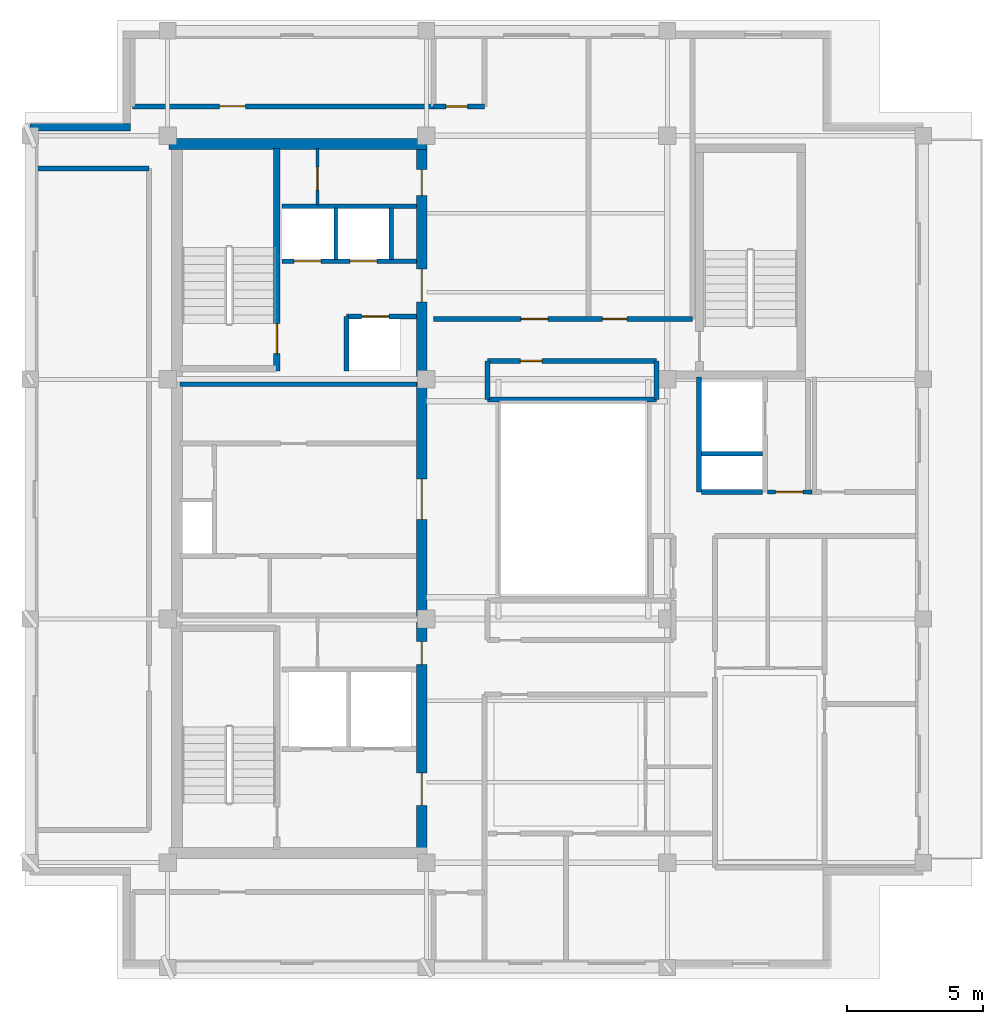
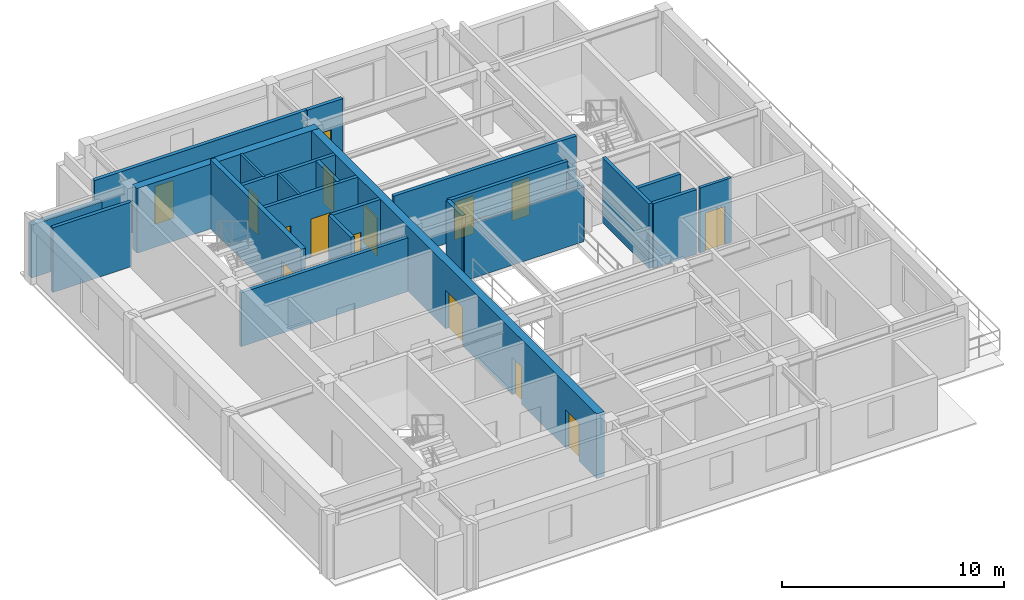
# One storey, part 4 of 9: 24 walls, 16 doors, 16 openings.
"""IFC4 building model written with IfcOpenShell, lengths in metres."""

from ifc_helpers import new_model, si_unit, direction, frame, frame_2d, origin, place, context, subcontext, project, spatial, rectangle, extrude, material, layer, layer_set, type_object, element, fill, save


model = new_model("IFC4")

# Units and contexts
model_context = context("Model", 3, precision=1e-05, world=origin(), true_north=direction((0.0, 1.0)))
body_context = subcontext(model_context, "Body", "Model", "MODEL_VIEW")
ifc_project = project(units=[si_unit("LENGTHUNIT", "METRE"), si_unit("AREAUNIT", "SQUARE_METRE"), si_unit("VOLUMEUNIT", "CUBIC_METRE"), si_unit("PLANEANGLEUNIT", "RADIAN"), si_unit("MASSUNIT", "GRAM", prefix="KILO")], contexts=[model_context])

# Site, building, storey
site_placement = place(None, origin())
site = spatial("IfcSite", under=ifc_project, at=site_placement, CompositionType="ELEMENT")
building_placement = place(site_placement, origin())
building = spatial("IfcBuilding", under=site, at=building_placement, Name="Kundavana Baori Tower", CompositionType="ELEMENT")
storey_placement = place(building_placement, frame((0.0, 0.0, 335.300048828125)))
storey = spatial("IfcBuildingStorey", under=building, at=storey_placement, Name="L83", CompositionType="ELEMENT", Elevation=335.300048828125)

# Wall
ifc_material_1 = material(Name="Concrete C50/60", Category="concrete")
ifc_layer_1 = layer(ifc_material_1, 0.39990234375, Name="WL-CORE-400")
ifc_layer_set_1 = layer_set([ifc_layer_1], Name="Concrete C50/60")
wall_type_1 = type_object("IfcWallType", Name="WL-CORE-400", PredefinedType="SHEAR", material=ifc_layer_set_1)
wall_1_placement = place(storey_placement, frame((15.5, 41.639892578125, 0.0), z_axis=(0.0, 0.0, 1.0), x_axis=(1.0, 0.0, 0.0)))
element("IfcWall", 1, at=wall_1_placement, inside=storey, type_object=wall_type_1, Name="L83 Offset Core North Shear Wall", PredefinedType="SHEAR", context=body_context, shape_type="SweptSolid", body=[
    extrude(rectangle(XDim=9.47998046875, YDim=0.39990234375, at=frame_2d((4.739990234375, 0.0))), origin(), (0.0, 0.0, 1.0), 3.56005859375),
])

# Wall, openings, doors
wall_2_placement = place(storey_placement, frame((24.780029296875, 15.739990234375, 0.0), z_axis=(0.0, 0.0, 1.0), x_axis=(0.0, 1.0, 0.0)))
wall_2 = element("IfcWall", 2, at=wall_2_placement, inside=storey, type_object=wall_type_1, Name="L83 Offset Core East Shear Wall", PredefinedType="SHEAR", context=body_context, shape_type="SweptSolid", body=[
    extrude(rectangle(XDim=25.760009765625, YDim=0.39990234375, at=frame_2d((12.8798828125, 0.0))), origin(), (0.0, 0.0, 1.0), 3.56005859375),
])
opening_1_placement = place(wall_2_placement, frame((1.610107421875, 0.0, 0.0)))
opening_1 = element("IfcOpeningElement", 3, at=opening_1_placement, cuts=wall_2, Name="Opening FD-120", PredefinedType="OPENING", context=body_context, shape_type="SweptSolid", body=[
    extrude(rectangle(XDim=1.199951171875, YDim=2.10009765625, at=frame_2d((0.60009765625, 1.050048828125))), frame((0.0, 0.2099609375, 0.0), z_axis=(0.0, -1.0, 0.0), x_axis=(1.0, 0.0, 0.0)), (0.0, 0.0, 1.0), 0.419921875),
])
opening_2_placement = place(wall_2_placement, frame((6.780029296875, 0.0, 0.0)))
opening_2 = element("IfcOpeningElement", 4, at=opening_2_placement, cuts=wall_2, Name="Opening FD-085", PredefinedType="OPENING", context=body_context, shape_type="SweptSolid", body=[
    extrude(rectangle(XDim=0.85009765625, YDim=2.06005859375, at=frame_2d((0.425048828125, 1.030029296875))), frame((0.0, 0.2099609375, 0.0), z_axis=(0.0, -1.0, 0.0), x_axis=(1.0, 0.0, 0.0)), (0.0, 0.0, 1.0), 0.419921875),
])
opening_3_placement = place(wall_2_placement, frame((12.110107421875, 0.0, 0.0)))
opening_3 = element("IfcOpeningElement", 5, at=opening_3_placement, cuts=wall_2, Name="Opening FD-150", PredefinedType="OPENING", context=body_context, shape_type="SweptSolid", body=[
    extrude(rectangle(XDim=1.5, YDim=2.1201171875, at=frame_2d((0.75, 1.06005859375))), frame((0.0, 0.2099609375, 0.0), z_axis=(0.0, -1.0, 0.0), x_axis=(1.0, 0.0, 0.0)), (0.0, 0.0, 1.0), 0.419921875),
])
opening_4_placement = place(wall_2_placement, frame((20.110107421875, 0.0, 0.0)))
opening_4 = element("IfcOpeningElement", 6, at=opening_4_placement, cuts=wall_2, Name="Opening FD-122", PredefinedType="OPENING", context=body_context, shape_type="SweptSolid", body=[
    extrude(rectangle(XDim=1.199951171875, YDim=2.1201171875, at=frame_2d((0.60009765625, 1.06005859375))), frame((0.0, 0.2099609375, 0.0), z_axis=(0.0, -1.0, 0.0), x_axis=(1.0, 0.0, 0.0)), (0.0, 0.0, 1.0), 0.419921875),
])
opening_5_placement = place(wall_2_placement, frame((24.010009765625, 0.0, 0.0)))
opening_5 = element("IfcOpeningElement", 7, at=opening_5_placement, cuts=wall_2, Name="Opening FD-095", PredefinedType="OPENING", context=body_context, shape_type="SweptSolid", body=[
    extrude(rectangle(XDim=0.949951171875, YDim=2.10009765625, at=frame_2d((0.47509765625, 1.050048828125))), frame((0.0, 0.2099609375, 0.0), z_axis=(0.0, -1.0, 0.0), x_axis=(1.0, 0.0, 0.0)), (0.0, 0.0, 1.0), 0.419921875),
])
ifc_material_2 = material(Name="Galvanised Steel Fire-Rated Door Leaf", Category="steel")
door_type_1 = type_object("IfcDoorType", Name="DR-FD120-1200", OperationType="NOTDEFINED", PredefinedType="DOOR", material=ifc_material_2)
door_1_placement = place(opening_1_placement, frame((1.199951171875, 0.0, 0.0), z_axis=(0.0, 0.0, 1.0), x_axis=(-1.0, 0.0, 0.0)))
door_1 = element("IfcDoor", 8, at=door_1_placement, inside=storey, type_object=door_type_1, Name="DR-L83-FFLOB-E", OperationType="SINGLE_SWING_RIGHT", OverallHeight=2.10009765625, OverallWidth=1.199951171875, PredefinedType="DOOR", context=body_context, shape_type="SweptSolid", body=[
    extrude(rectangle(XDim=1.199951171875, YDim=2.10009765625, at=frame_2d((0.60009765625, 1.050048828125))), frame((0.0, 0.02490234375, 0.0), z_axis=(0.0, -1.0, 0.0), x_axis=(1.0, 0.0, 0.0)), (0.0, 0.0, 1.0), 0.050048828125),
])
fill(opening_1, door_1)
ifc_material_3 = material(Name="Galvanised Steel Fire-Rated Door Leaf", Category="steel")
door_type_2 = type_object("IfcDoorType", Name="DR-FD60-1200", OperationType="NOTDEFINED", PredefinedType="DOOR", material=ifc_material_3)
door_2_placement = place(opening_4_placement, frame((1.199951171875, 0.0, 0.0), z_axis=(0.0, 0.0, 1.0), x_axis=(-1.0, 0.0, 0.0)))
door_2 = element("IfcDoor", 9, at=door_2_placement, inside=storey, type_object=door_type_2, Name="DR-L83-HRLOB-E", OperationType="SINGLE_SWING_RIGHT", OverallHeight=2.1201171875, OverallWidth=1.199951171875, PredefinedType="DOOR", context=body_context, shape_type="SweptSolid", body=[
    extrude(rectangle(XDim=1.199951171875, YDim=2.1201171875, at=frame_2d((0.60009765625, 1.06005859375))), frame((0.0, 0.02490234375, 0.0), z_axis=(0.0, -1.0, 0.0), x_axis=(1.0, 0.0, 0.0)), (0.0, 0.0, 1.0), 0.050048828125),
])
fill(opening_4, door_2)
ifc_material_4 = material(Name="Galvanised Steel Fire-Rated Door Leaf", Category="steel")
door_type_3 = type_object("IfcDoorType", Name="DR-FD60-1500", OperationType="NOTDEFINED", PredefinedType="DOOR", material=ifc_material_4)
door_3_placement = place(opening_3_placement, frame((1.5, 0.0, 0.0), z_axis=(0.0, 0.0, 1.0), x_axis=(-1.0, 0.0, 0.0)))
door_3 = element("IfcDoor", 10, at=door_3_placement, inside=storey, type_object=door_type_3, Name="DR-L83-LIFTHALL-E", OperationType="SINGLE_SWING_LEFT", OverallHeight=2.1201171875, OverallWidth=1.5, PredefinedType="DOOR", context=body_context, shape_type="SweptSolid", body=[
    extrude(rectangle(XDim=1.5, YDim=2.1201171875, at=frame_2d((0.75, 1.06005859375))), frame((0.0, 0.02490234375, 0.0), z_axis=(0.0, -1.0, 0.0), x_axis=(1.0, 0.0, 0.0)), (0.0, 0.0, 1.0), 0.050048828125),
])
fill(opening_3, door_3)
ifc_material_5 = material(Name="Galvanised Steel Fire-Rated Door Leaf", Category="steel")
door_type_4 = type_object("IfcDoorType", Name="DR-FD60-850", OperationType="NOTDEFINED", PredefinedType="DOOR", material=ifc_material_5)
door_4_placement = place(opening_2_placement, frame((0.85009765625, 0.0, 0.0), z_axis=(0.0, 0.0, 1.0), x_axis=(-1.0, 0.0, 0.0)))
door_4 = element("IfcDoor", 11, at=door_4_placement, inside=storey, type_object=door_type_4, Name="DR-L83-CSMK2", OperationType="SINGLE_SWING_LEFT", OverallHeight=2.06005859375, OverallWidth=0.85009765625, PredefinedType="DOOR", context=body_context, shape_type="SweptSolid", body=[
    extrude(rectangle(XDim=0.85009765625, YDim=2.06005859375, at=frame_2d((0.425048828125, 1.030029296875))), frame((0.0, 0.02490234375, 0.0), z_axis=(0.0, -1.0, 0.0), x_axis=(1.0, 0.0, 0.0)), (0.0, 0.0, 1.0), 0.050048828125),
])
fill(opening_2, door_4)
ifc_material_6 = material(Name="Engineered Teak Fire-Rated Timber Door Leaf", Category="wood")
door_type_5 = type_object("IfcDoorType", Name="DR-FD60-950", OperationType="NOTDEFINED", PredefinedType="DOOR", material=ifc_material_6)
door_5_placement = place(opening_5_placement, frame((0.949951171875, 0.0, 0.0), z_axis=(0.0, 0.0, 1.0), x_axis=(-1.0, 0.0, 0.0)))
door_5 = element("IfcDoor", 12, at=door_5_placement, inside=storey, type_object=door_type_5, Name="DR-L83-CSRV2", OperationType="SINGLE_SWING_LEFT", OverallHeight=2.10009765625, OverallWidth=0.949951171875, PredefinedType="DOOR", context=body_context, shape_type="SweptSolid", body=[
    extrude(rectangle(XDim=0.949951171875, YDim=2.10009765625, at=frame_2d((0.47509765625, 1.050048828125))), frame((0.0, 0.02490234375, 0.0), z_axis=(0.0, -1.0, 0.0), x_axis=(1.0, 0.0, 0.0)), (0.0, 0.0, 1.0), 0.050048828125),
])
fill(opening_5, door_5)

# Wall, opening, door
wall_3_placement = place(storey_placement, frame((19.4599609375, 33.300048828125, 0.0), z_axis=(0.0, 0.0, 1.0), x_axis=(0.0, 1.0, 0.0)))
wall_3 = element("IfcWall", 13, at=wall_3_placement, inside=storey, type_object=wall_type_1, Name="WL-L83-ST2-E", PredefinedType="SHEAR", context=body_context, shape_type="SweptSolid", body=[
    extrude(rectangle(XDim=8.179931640625, YDim=0.239990234375, at=frame_2d((4.08984375, 0.0))), origin(), (0.0, 0.0, 1.0), 3.800048828125),
])
opening_6_placement = place(wall_3_placement, frame((0.64990234375, 0.0, 0.0)))
opening_6 = element("IfcOpeningElement", 14, at=opening_6_placement, cuts=wall_3, Name="Opening FD-110", PredefinedType="OPENING", context=body_context, shape_type="SweptSolid", body=[
    extrude(rectangle(XDim=1.10009765625, YDim=2.10009765625, at=frame_2d((0.550048828125, 1.050048828125))), frame((0.0, 0.1298828125, 0.0), z_axis=(0.0, -1.0, 0.0), x_axis=(1.0, 0.0, 0.0)), (0.0, 0.0, 1.0), 0.260009765625),
])
ifc_material_7 = material(Name="Galvanised Steel Fire-Rated Door Leaf", Category="steel")
door_type_6 = type_object("IfcDoorType", Name="DR-FD120-1100", OperationType="NOTDEFINED", PredefinedType="DOOR", material=ifc_material_7)
door_6_placement = place(opening_6_placement, origin())
door_6 = element("IfcDoor", 15, at=door_6_placement, inside=storey, type_object=door_type_6, Name="DR-L83-ST2", OperationType="SINGLE_SWING_RIGHT", OverallHeight=2.10009765625, OverallWidth=1.10009765625, PredefinedType="DOOR", context=body_context, shape_type="SweptSolid", body=[
    extrude(rectangle(XDim=1.10009765625, YDim=2.10009765625, at=frame_2d((0.550048828125, 1.050048828125))), frame((0.0, 0.02490234375, 0.0), z_axis=(0.0, -1.0, 0.0), x_axis=(1.0, 0.0, 0.0)), (0.0, 0.0, 1.0), 0.050048828125),
])
fill(opening_6, door_6)

# Walls
ifc_material_8 = material(Name="Red-Buff Dholpur Sandstone Cladding on Concrete C40/50", Category="masonry")
ifc_layer_2 = layer(ifc_material_8, 0.280029296875, Name="WL-EXT-SAND-280")
ifc_layer_set_2 = layer_set([ifc_layer_2], Name="Red-Buff Dholpur Sandstone Cladding on Concrete C40/50")
wall_type_2 = type_object("IfcWallType", Name="WL-EXT-SAND-280", PredefinedType="STANDARD", material=ifc_layer_set_2)
wall_4_placement = place(storey_placement, frame((14.080078125, 42.260009765625, 0.0), z_axis=(0.0, 0.0, 1.0), x_axis=(-1.0, 0.0, 0.0)))
element("IfcWall", 16, at=wall_4_placement, inside=storey, type_object=wall_type_2, Name="L83 Exterior Insulated Facade Wall 09", PredefinedType="STANDARD", context=body_context, shape_type="SweptSolid", body=[
    extrude(rectangle(XDim=3.68017578125, YDim=0.280029296875, at=frame_2d((1.840087890625, 0.0))), origin(), (0.0, 0.0, 1.0), 2.919921875),
])
ifc_material_9 = material(Name="Acoustic Gypsum Plasterboard on Galvanised Steel Studs", Category="steel")
ifc_layer_3 = layer(ifc_material_9, 0.1201171875, Name="WL-PART-120")
ifc_layer_set_3 = layer_set([ifc_layer_3], Name="Acoustic Gypsum Plasterboard on Galvanised Steel Studs")
wall_type_3 = type_object("IfcWallType", Name="WL-PART-120", PredefinedType="PARTITIONING", material=ifc_layer_set_3)
wall_5_placement = place(storey_placement, frame((21.6201171875, 37.39990234375, 0.0), z_axis=(0.0, 0.0, 1.0), x_axis=(0.0, 1.0, 0.0)))
element("IfcWall", 17, at=wall_5_placement, inside=storey, type_object=wall_type_3, Name="WL-L83-HR-DIV1", PredefinedType="PARTITIONING", context=body_context, shape_type="SweptSolid", body=[
    extrude(rectangle(XDim=1.900146484375, YDim=0.1201171875, at=frame_2d((0.9501953125, 0.0))), origin(), (0.0, 0.0, 1.0), 3.56005859375),
])

# Wall, opening, door
wall_6_placement = place(storey_placement, frame((20.949951171875, 39.39990234375, 0.0), z_axis=(0.0, 0.0, 1.0), x_axis=(0.0, 1.0, 0.0)))
wall_6 = element("IfcWall", 18, at=wall_6_placement, inside=storey, type_object=wall_type_3, Name="WL-L83-CSRV-D2", PredefinedType="PARTITIONING", context=body_context, shape_type="SweptSolid", body=[
    extrude(rectangle(XDim=2.080078125, YDim=0.1201171875, at=frame_2d((1.0400390625, 0.0))), origin(), (0.0, 0.0, 1.0), 3.56005859375),
])
opening_7_placement = place(wall_6_placement, frame((0.550048828125, 0.0, 0.0)))
opening_7 = element("IfcOpeningElement", 19, at=opening_7_placement, cuts=wall_6, Name="Opening FD-085", PredefinedType="OPENING", context=body_context, shape_type="SweptSolid", body=[
    extrude(rectangle(XDim=0.85009765625, YDim=2.06005859375, at=frame_2d((0.425048828125, 1.030029296875))), frame((0.0, 0.070068359375, 0.0), z_axis=(0.0, -1.0, 0.0), x_axis=(1.0, 0.0, 0.0)), (0.0, 0.0, 1.0), 0.14013671875),
])
door_7_placement = place(opening_7_placement, origin())
door_7 = element("IfcDoor", 20, at=door_7_placement, inside=storey, type_object=door_type_4, Name="DR-L83-CSRV1", OperationType="SINGLE_SWING_RIGHT", OverallHeight=2.06005859375, OverallWidth=0.85009765625, PredefinedType="DOOR", context=body_context, shape_type="SweptSolid", body=[
    extrude(rectangle(XDim=0.85009765625, YDim=2.06005859375, at=frame_2d((0.425048828125, 1.030029296875))), frame((0.0, 0.02490234375, 0.0), z_axis=(0.0, -1.0, 0.0), x_axis=(1.0, 0.0, 0.0)), (0.0, 0.0, 1.0), 0.050048828125),
])
fill(opening_7, door_7)

ifc_material_10 = material(Name="Fire-Rated Gypsum Drywall on Galvanised Steel Studs", Category="steel")
ifc_layer_4 = layer(ifc_material_10, 0.14990234375, Name="WL-PART-150")
ifc_layer_set_4 = layer_set([ifc_layer_4], Name="Fire-Rated Gypsum Drywall on Galvanised Steel Studs")
wall_type_4 = type_object("IfcWallType", Name="WL-PART-150", PredefinedType="PARTITIONING", material=ifc_layer_set_4)
wall_7_placement = place(storey_placement, frame((37.47998046875, 28.860107421875, 0.0), z_axis=(0.0, 0.0, 1.0), x_axis=(1.0, 0.0, 0.0)))
wall_7 = element("IfcWall", 21, at=wall_7_placement, inside=storey, type_object=wall_type_4, Name="WL-L83-SVLOB-S", PredefinedType="PARTITIONING", context=body_context, shape_type="SweptSolid", body=[
    extrude(rectangle(XDim=1.64013671875, YDim=0.14990234375, at=frame_2d((0.820068359375, 0.0))), origin(), (0.0, 0.0, 1.0), 3.56005859375),
])
opening_8_placement = place(wall_7_placement, frame((0.300048828125, 0.0, 0.0)))
opening_8 = element("IfcOpeningElement", 22, at=opening_8_placement, cuts=wall_7, Name="Opening FD-100", PredefinedType="OPENING", context=body_context, shape_type="SweptSolid", body=[
    extrude(rectangle(XDim=1.0, YDim=2.10009765625, at=frame_2d((0.5, 1.050048828125))), frame((0.0, 0.0849609375, 0.0), z_axis=(0.0, -1.0, 0.0), x_axis=(1.0, 0.0, 0.0)), (0.0, 0.0, 1.0), 0.169921875),
])
ifc_material_11 = material(Name="Engineered Teak Fire-Rated Timber Door Leaf", Category="wood")
door_type_7 = type_object("IfcDoorType", Name="DR-FD60-1000", OperationType="NOTDEFINED", PredefinedType="DOOR", material=ifc_material_11)
door_8_placement = place(opening_8_placement, origin())
door_8 = element("IfcDoor", 23, at=door_8_placement, inside=storey, type_object=door_type_7, Name="DR-L83-SVLOB-OUT", OperationType="SINGLE_SWING_LEFT", OverallHeight=2.10009765625, OverallWidth=1.0, PredefinedType="DOOR", context=body_context, shape_type="SweptSolid", body=[
    extrude(rectangle(XDim=1.0, YDim=2.10009765625, at=frame_2d((0.5, 1.050048828125))), frame((0.0, 0.02490234375, 0.0), z_axis=(0.0, -1.0, 0.0), x_axis=(1.0, 0.0, 0.0)), (0.0, 0.0, 1.0), 0.050048828125),
])
fill(opening_8, door_8)

# Wall, openings, doors
ifc_material_12 = material(Name="Autoclaved Aerated Concrete Blockwork Masonry", Category="masonry")
ifc_layer_5 = layer(ifc_material_12, 0.18505859375, Name="WL-PART-180")
ifc_layer_set_5 = layer_set([ifc_layer_5], Name="Autoclaved Aerated Concrete Blockwork Masonry")
wall_type_5 = type_object("IfcWallType", Name="WL-PART-180", PredefinedType="SOLIDWALL", material=ifc_layer_set_5)
wall_8_placement = place(storey_placement, frame((25.219970703125, 35.219970703125, 0.0), z_axis=(0.0, 0.0, 1.0), x_axis=(1.0, 0.0, 0.0)))
wall_8 = element("IfcWall", 24, at=wall_8_placement, inside=storey, type_object=wall_type_5, Name="WL-L83-RN", PredefinedType="SOLIDWALL", context=body_context, shape_type="SweptSolid", body=[
    extrude(rectangle(XDim=9.5, YDim=0.18505859375, at=frame_2d((4.75, 0.0))), origin(), (0.0, 0.0, 1.0), 3.56005859375),
])
opening_9_placement = place(wall_8_placement, frame((3.199951171875, 0.0, 0.0)))
opening_9 = element("IfcOpeningElement", 25, at=opening_9_placement, cuts=wall_8, Name="Opening ID-100", PredefinedType="OPENING", context=body_context, shape_type="SweptSolid", body=[
    extrude(rectangle(XDim=1.0, YDim=2.080078125, at=frame_2d((0.5, 1.0400390625))), frame((0.0, 0.1025390625, 0.0), z_axis=(0.0, -1.0, 0.0), x_axis=(1.0, 0.0, 0.0)), (0.0, 0.0, 1.0), 0.205078125),
])
opening_10_placement = place(wall_8_placement, frame((6.199951171875, 0.0, 0.0)))
opening_10 = element("IfcOpeningElement", 26, at=opening_10_placement, cuts=wall_8, Name="Opening ID-090", PredefinedType="OPENING", context=body_context, shape_type="SweptSolid", body=[
    extrude(rectangle(XDim=0.89990234375, YDim=2.080078125, at=frame_2d((0.449951171875, 1.0400390625))), frame((0.0, 0.1025390625, 0.0), z_axis=(0.0, -1.0, 0.0), x_axis=(1.0, 0.0, 0.0)), (0.0, 0.0, 1.0), 0.205078125),
])
ifc_material_13 = material(Name="Engineered Teak Solid-Core Timber Veneer", Category="wood")
door_type_8 = type_object("IfcDoorType", Name="DR-INT-1000", OperationType="NOTDEFINED", PredefinedType="DOOR", material=ifc_material_13)
door_9_placement = place(opening_9_placement, origin())
door_9 = element("IfcDoor", 27, at=door_9_placement, inside=storey, type_object=door_type_8, Name="DR-L83-RLN1", OperationType="SINGLE_SWING_LEFT", OverallHeight=2.080078125, OverallWidth=1.0, PredefinedType="DOOR", context=body_context, shape_type="SweptSolid", body=[
    extrude(rectangle(XDim=1.0, YDim=2.080078125, at=frame_2d((0.5, 1.0400390625))), frame((0.0, 0.02490234375, 0.0), z_axis=(0.0, -1.0, 0.0), x_axis=(1.0, 0.0, 0.0)), (0.0, 0.0, 1.0), 0.050048828125),
])
fill(opening_9, door_9)
ifc_material_14 = material(Name="Engineered Teak Solid-Core Timber Veneer", Category="wood")
door_type_9 = type_object("IfcDoorType", Name="DR-INT-900", OperationType="NOTDEFINED", PredefinedType="DOOR", material=ifc_material_14)
door_10_placement = place(opening_10_placement, origin())
door_10 = element("IfcDoor", 28, at=door_10_placement, inside=storey, type_object=door_type_9, Name="DR-L83-RLN2", OperationType="SINGLE_SWING_RIGHT", OverallHeight=2.080078125, OverallWidth=0.89990234375, PredefinedType="DOOR", context=body_context, shape_type="SweptSolid", body=[
    extrude(rectangle(XDim=0.89990234375, YDim=2.080078125, at=frame_2d((0.449951171875, 1.0400390625))), frame((0.0, 0.02490234375, 0.0), z_axis=(0.0, -1.0, 0.0), x_axis=(1.0, 0.0, 0.0)), (0.0, 0.0, 1.0), 0.050048828125),
])
fill(opening_10, door_10)

# Wall, opening, door
wall_9_placement = place(storey_placement, frame((14.14990234375, 43.030029296875, 0.0), z_axis=(0.0, 0.0, 1.0), x_axis=(1.0, 0.0, 0.0)))
wall_9 = element("IfcWall", 29, at=wall_9_placement, inside=storey, type_object=wall_type_5, Name="WL-L83-RNC", PredefinedType="SOLIDWALL", context=body_context, shape_type="SweptSolid", body=[
    extrude(rectangle(XDim=11.070068359375, YDim=0.18505859375, at=frame_2d((5.53515625, 0.0))), origin(), (0.0, 0.0, 1.0), 3.56005859375),
])
opening_11_placement = place(wall_9_placement, frame((3.199951171875, 0.0, 0.0)))
opening_11 = element("IfcOpeningElement", 30, at=opening_11_placement, cuts=wall_9, Name="Opening ID-095", PredefinedType="OPENING", context=body_context, shape_type="SweptSolid", body=[
    extrude(rectangle(XDim=0.949951171875, YDim=2.080078125, at=frame_2d((0.47509765625, 1.0400390625))), frame((0.0, 0.1025390625, 0.0), z_axis=(0.0, -1.0, 0.0), x_axis=(1.0, 0.0, 0.0)), (0.0, 0.0, 1.0), 0.205078125),
])
ifc_material_15 = material(Name="Engineered Teak Solid-Core Timber Veneer", Category="wood")
door_type_10 = type_object("IfcDoorType", Name="DR-INT-950", OperationType="NOTDEFINED", PredefinedType="DOOR", material=ifc_material_15)
door_11_placement = place(opening_11_placement, origin())
door_11 = element("IfcDoor", 31, at=door_11_placement, inside=storey, type_object=door_type_10, Name="DR-L83-RMNW", OperationType="SINGLE_SWING_RIGHT", OverallHeight=2.080078125, OverallWidth=0.949951171875, PredefinedType="DOOR", context=body_context, shape_type="SweptSolid", body=[
    extrude(rectangle(XDim=0.949951171875, YDim=2.080078125, at=frame_2d((0.47509765625, 1.0400390625))), frame((0.0, 0.02490234375, 0.0), z_axis=(0.0, -1.0, 0.0), x_axis=(1.0, 0.0, 0.0)), (0.0, 0.0, 1.0), 0.050048828125),
])
fill(opening_11, door_11)

# Wall
wall_10_placement = place(storey_placement, frame((10.679931640625, 40.75, 0.0), z_axis=(0.0, 0.0, 1.0), x_axis=(1.0, 0.0, 0.0)))
element("IfcWall", 32, at=wall_10_placement, inside=storey, type_object=wall_type_5, Name="WL-L83-RWN", PredefinedType="SOLIDWALL", context=body_context, shape_type="SweptSolid", body=[
    extrude(rectangle(XDim=4.090087890625, YDim=0.18505859375, at=frame_2d((2.044921875, 0.0))), origin(), (0.0, 0.0, 1.0), 3.56005859375),
])

# Wall, opening, door
wall_11_placement = place(storey_placement, frame((25.219970703125, 43.02001953125, 0.0), z_axis=(0.0, 0.0, 1.0), x_axis=(1.0, 0.0, 0.0)))
wall_11 = element("IfcWall", 33, at=wall_11_placement, inside=storey, type_object=wall_type_5, Name="WL-L83-CNCS", PredefinedType="SOLIDWALL", context=body_context, shape_type="SweptSolid", body=[
    extrude(rectangle(XDim=1.860107421875, YDim=0.18505859375, at=frame_2d((0.93017578125, 0.0))), origin(), (0.0, 0.0, 1.0), 3.56005859375),
])
opening_12_placement = place(wall_11_placement, frame((0.449951171875, 0.0, 0.0)))
opening_12 = element("IfcOpeningElement", 34, at=opening_12_placement, cuts=wall_11, Name="Opening WD-080", PredefinedType="OPENING", context=body_context, shape_type="SweptSolid", body=[
    extrude(rectangle(XDim=0.800048828125, YDim=2.050048828125, at=frame_2d((0.39990234375, 1.02490234375))), frame((0.0, 0.1025390625, 0.0), z_axis=(0.0, -1.0, 0.0), x_axis=(1.0, 0.0, 0.0)), (0.0, 0.0, 1.0), 0.205078125),
])
ifc_material_16 = material(Name="Engineered Teak Solid-Core Timber Veneer", Category="wood")
door_type_11 = type_object("IfcDoorType", Name="DR-WET-800", OperationType="NOTDEFINED", PredefinedType="DOOR", material=ifc_material_16)
door_12_placement = place(opening_12_placement, frame((0.800048828125, 0.0, 0.0), z_axis=(0.0, 0.0, 1.0), x_axis=(-1.0, 0.0, 0.0)))
door_12 = element("IfcDoor", 35, at=door_12_placement, inside=storey, type_object=door_type_11, Name="DR-L83-CSCN", OperationType="SINGLE_SWING_LEFT", OverallHeight=2.050048828125, OverallWidth=0.800048828125, PredefinedType="DOOR", context=body_context, shape_type="SweptSolid", body=[
    extrude(rectangle(XDim=0.800048828125, YDim=2.050048828125, at=frame_2d((0.39990234375, 1.02490234375))), frame((0.0, 0.02490234375, 0.0), z_axis=(0.0, -1.0, 0.0), x_axis=(1.0, 0.0, 0.0)), (0.0, 0.0, 1.0), 0.050048828125),
])
fill(opening_12, door_12)

wall_12_placement = place(storey_placement, frame((27.199951171875, 33.679931640625, 0.0), z_axis=(0.0, 0.0, 1.0), x_axis=(1.0, 0.0, 0.0)))
wall_12 = element("IfcWall", 36, at=wall_12_placement, inside=storey, type_object=wall_type_5, Name="WL-L83-CNAN", PredefinedType="SOLIDWALL", context=body_context, shape_type="SweptSolid", body=[
    extrude(rectangle(XDim=6.199951171875, YDim=0.18505859375, at=frame_2d((3.10009765625, 0.0))), origin(), (0.0, 0.0, 1.0), 3.56005859375),
])
opening_13_placement = place(wall_12_placement, frame((1.199951171875, 0.0, 0.0)))
opening_13 = element("IfcOpeningElement", 37, at=opening_13_placement, cuts=wall_12, Name="Opening WD-080", PredefinedType="OPENING", context=body_context, shape_type="SweptSolid", body=[
    extrude(rectangle(XDim=0.800048828125, YDim=2.050048828125, at=frame_2d((0.39990234375, 1.02490234375))), frame((0.0, 0.1025390625, 0.0), z_axis=(0.0, -1.0, 0.0), x_axis=(1.0, 0.0, 0.0)), (0.0, 0.0, 1.0), 0.205078125),
])
door_13_placement = place(opening_13_placement, frame((0.800048828125, 0.0, 0.0), z_axis=(0.0, 0.0, 1.0), x_axis=(-1.0, 0.0, 0.0)))
door_13 = element("IfcDoor", 38, at=door_13_placement, inside=storey, type_object=door_type_11, Name="DR-L83-CSNA", OperationType="SINGLE_SWING_LEFT", OverallHeight=2.050048828125, OverallWidth=0.800048828125, PredefinedType="DOOR", context=body_context, shape_type="SweptSolid", body=[
    extrude(rectangle(XDim=0.800048828125, YDim=2.050048828125, at=frame_2d((0.39990234375, 1.02490234375))), frame((0.0, 0.02490234375, 0.0), z_axis=(0.0, -1.0, 0.0), x_axis=(1.0, 0.0, 0.0)), (0.0, 0.0, 1.0), 0.050048828125),
])
fill(opening_13, door_13)

# Walls
wall_13_placement = place(storey_placement, frame((27.199951171875, 32.260009765625, 0.0), z_axis=(0.0, 0.0, 1.0), x_axis=(1.0, 0.0, 0.0)))
element("IfcWall", 39, at=wall_13_placement, inside=storey, type_object=wall_type_5, Name="WL-L83-CNAS", PredefinedType="SOLIDWALL", context=body_context, shape_type="SweptSolid", body=[
    extrude(rectangle(XDim=6.199951171875, YDim=0.18505859375, at=frame_2d((3.10009765625, 0.0))), origin(), (0.0, 0.0, 1.0), 3.010009765625),
])
wall_14_placement = place(storey_placement, frame((27.199951171875, 32.260009765625, 0.0), z_axis=(0.0, 0.0, 1.0), x_axis=(0.0, 1.0, 0.0)))
element("IfcWall", 40, at=wall_14_placement, inside=storey, type_object=wall_type_5, Name="WL-L83-CNAW", PredefinedType="SOLIDWALL", context=body_context, shape_type="SweptSolid", body=[
    extrude(rectangle(XDim=1.419921875, YDim=0.18505859375, at=frame_2d((0.7099609375, 0.0))), origin(), (0.0, 0.0, 1.0), 3.56005859375),
])
wall_15_placement = place(storey_placement, frame((33.39990234375, 32.260009765625, 0.0), z_axis=(0.0, 0.0, 1.0), x_axis=(0.0, 1.0, 0.0)))
element("IfcWall", 41, at=wall_15_placement, inside=storey, type_object=wall_type_5, Name="WL-L83-CNAE", PredefinedType="SOLIDWALL", context=body_context, shape_type="SweptSolid", body=[
    extrude(rectangle(XDim=1.419921875, YDim=0.18505859375, at=frame_2d((0.7099609375, 0.0))), origin(), (0.0, 0.0, 1.0), 3.010009765625),
])
ifc_material_17 = material(Name="Autoclaved Aerated Concrete Blockwork Masonry", Category="masonry")
ifc_layer_6 = layer(ifc_material_17, 0.179931640625, Name="WL-SHAFT-180")
ifc_layer_set_6 = layer_set([ifc_layer_6], Name="Autoclaved Aerated Concrete Blockwork Masonry")
wall_type_6 = type_object("IfcWallType", Name="WL-SHAFT-180", PredefinedType="SOLIDWALL", material=ifc_layer_set_6)
wall_16_placement = place(storey_placement, frame((15.89990234375, 32.820068359375, 0.0), z_axis=(0.0, 0.0, 1.0), x_axis=(1.0, 0.0, 0.0)))
element("IfcWall", 42, at=wall_16_placement, inside=storey, type_object=wall_type_6, Name="WL-L83-LPMID-N", PredefinedType="SOLIDWALL", context=body_context, shape_type="SweptSolid", body=[
    extrude(rectangle(XDim=8.68017578125, YDim=0.179931640625, at=frame_2d((4.340087890625, 0.0))), origin(), (0.0, 0.0, 1.0), 2.9599609375),
])

# Wall, opening, door
wall_17_placement = place(storey_placement, frame((22.02001953125, 35.31005859375, 0.0), z_axis=(0.0, 0.0, 1.0), x_axis=(1.0, 0.0, 0.0)))
wall_17 = element("IfcWall", 43, at=wall_17_placement, inside=storey, type_object=wall_type_6, Name="WL-L83-LP11-N", PredefinedType="SOLIDWALL", context=body_context, shape_type="SweptSolid", body=[
    extrude(rectangle(XDim=2.56005859375, YDim=0.179931640625, at=frame_2d((1.280029296875, 0.0))), origin(), (0.0, 0.0, 1.0), 3.56005859375),
])
opening_14_placement = place(wall_17_placement, frame((0.550048828125, 0.0, 0.0)))
opening_14 = element("IfcOpeningElement", 44, at=opening_14_placement, cuts=wall_17, Name="Opening LD-100", PredefinedType="OPENING", context=body_context, shape_type="SweptSolid", body=[
    extrude(rectangle(XDim=1.0, YDim=2.10009765625, at=frame_2d((0.5, 1.050048828125))), frame((0.0, 0.10009765625, 0.0), z_axis=(0.0, -1.0, 0.0), x_axis=(1.0, 0.0, 0.0)), (0.0, 0.0, 1.0), 0.199951171875),
])
ifc_material_18 = material(Name="Galvanised Steel Fire-Rated Door Leaf", Category="steel")
door_type_12 = type_object("IfcDoorType", Name="DR-SLIDE-LD1000", OperationType="NOTDEFINED", PredefinedType="DOOR", material=ifc_material_18)
door_14_placement = place(opening_14_placement, origin())
door_14 = element("IfcDoor", 45, at=door_14_placement, inside=storey, type_object=door_type_12, Name="DR-L83-LD-LP11", OperationType="DOUBLE_DOOR_SLIDING", OverallHeight=2.10009765625, OverallWidth=1.0, PredefinedType="DOOR", context=body_context, shape_type="SweptSolid", body=[
    extrude(rectangle(XDim=1.0, YDim=2.10009765625, at=frame_2d((0.5, 1.050048828125))), frame((0.0, 0.02490234375, 0.0), z_axis=(0.0, -1.0, 0.0), x_axis=(1.0, 0.0, 0.0)), (0.0, 0.0, 1.0), 0.050048828125),
])
fill(opening_14, door_14)

# Wall
wall_18_placement = place(storey_placement, frame((22.02001953125, 33.300048828125, 0.0), z_axis=(0.0, 0.0, 1.0), x_axis=(0.0, 1.0, 0.0)))
element("IfcWall", 46, at=wall_18_placement, inside=storey, type_object=wall_type_6, Name="WL-L83-LP11-W", PredefinedType="SOLIDWALL", context=body_context, shape_type="SweptSolid", body=[
    extrude(rectangle(XDim=2.010009765625, YDim=0.179931640625, at=frame_2d((1.0048828125, 0.0))), origin(), (0.0, 0.0, 1.0), 3.56005859375),
])

# Wall, openings, doors
wall_19_placement = place(storey_placement, frame((19.639892578125, 37.340087890625, 0.0), z_axis=(0.0, 0.0, 1.0), x_axis=(1.0, 0.0, 0.0)))
wall_19 = element("IfcWall", 47, at=wall_19_placement, inside=storey, type_object=wall_type_6, Name="WL-L83-HRLOB-N", PredefinedType="SOLIDWALL", context=body_context, shape_type="SweptSolid", body=[
    extrude(rectangle(XDim=4.940185546875, YDim=0.179931640625, at=frame_2d((2.47021484375, 0.0))), origin(), (0.0, 0.0, 1.0), 3.56005859375),
])
opening_15_placement = place(wall_19_placement, frame((0.449951171875, 0.0, 0.0)))
opening_15 = element("IfcOpeningElement", 48, at=opening_15_placement, cuts=wall_19, Name="Opening LD-100", PredefinedType="OPENING", context=body_context, shape_type="SweptSolid", body=[
    extrude(rectangle(XDim=1.0, YDim=2.10009765625, at=frame_2d((0.5, 1.050048828125))), frame((0.0, 0.10009765625, 0.0), z_axis=(0.0, -1.0, 0.0), x_axis=(1.0, 0.0, 0.0)), (0.0, 0.0, 1.0), 0.199951171875),
])
opening_16_placement = place(wall_19_placement, frame((2.5, 0.0, 0.0)))
opening_16 = element("IfcOpeningElement", 49, at=opening_16_placement, cuts=wall_19, Name="Opening LD-100", PredefinedType="OPENING", context=body_context, shape_type="SweptSolid", body=[
    extrude(rectangle(XDim=1.0, YDim=2.10009765625, at=frame_2d((0.5, 1.050048828125))), frame((0.0, 0.10009765625, 0.0), z_axis=(0.0, -1.0, 0.0), x_axis=(1.0, 0.0, 0.0)), (0.0, 0.0, 1.0), 0.199951171875),
])
door_15_placement = place(opening_15_placement, frame((1.0, 0.0, 0.0), z_axis=(0.0, 0.0, 1.0), x_axis=(-1.0, 0.0, 0.0)))
door_15 = element("IfcDoor", 50, at=door_15_placement, inside=storey, type_object=door_type_12, Name="DR-L83-LD-LP09", OperationType="DOUBLE_DOOR_SLIDING", OverallHeight=2.10009765625, OverallWidth=1.0, PredefinedType="DOOR", context=body_context, shape_type="SweptSolid", body=[
    extrude(rectangle(XDim=1.0, YDim=2.10009765625, at=frame_2d((0.5, 1.050048828125))), frame((0.0, 0.02490234375, 0.0), z_axis=(0.0, -1.0, 0.0), x_axis=(1.0, 0.0, 0.0)), (0.0, 0.0, 1.0), 0.050048828125),
])
fill(opening_15, door_15)
door_16_placement = place(opening_16_placement, frame((1.0, 0.0, 0.0), z_axis=(0.0, 0.0, 1.0), x_axis=(-1.0, 0.0, 0.0)))
door_16 = element("IfcDoor", 51, at=door_16_placement, inside=storey, type_object=door_type_12, Name="DR-L83-LD-LP10", OperationType="DOUBLE_DOOR_SLIDING", OverallHeight=2.10009765625, OverallWidth=1.0, PredefinedType="DOOR", context=body_context, shape_type="SweptSolid", body=[
    extrude(rectangle(XDim=1.0, YDim=2.10009765625, at=frame_2d((0.5, 1.050048828125))), frame((0.0, 0.02490234375, 0.0), z_axis=(0.0, -1.0, 0.0), x_axis=(1.0, 0.0, 0.0)), (0.0, 0.0, 1.0), 0.050048828125),
])
fill(opening_16, door_16)

# Walls
wall_20_placement = place(storey_placement, frame((19.639892578125, 39.360107421875, 0.0), z_axis=(0.0, 0.0, 1.0), x_axis=(1.0, 0.0, 0.0)))
element("IfcWall", 52, at=wall_20_placement, inside=storey, type_object=wall_type_6, Name="WL-L83-HRLOB-TOP", PredefinedType="SOLIDWALL", context=body_context, shape_type="SweptSolid", body=[
    extrude(rectangle(XDim=4.940185546875, YDim=0.179931640625, at=frame_2d((2.47021484375, 0.0))), origin(), (0.0, 0.0, 1.0), 3.56005859375),
])
wall_21_placement = place(storey_placement, frame((23.659912109375, 37.39990234375, 0.0), z_axis=(0.0, 0.0, 1.0), x_axis=(0.0, 1.0, 0.0)))
element("IfcWall", 53, at=wall_21_placement, inside=storey, type_object=wall_type_6, Name="WL-L83-HR-DIV2", PredefinedType="SOLIDWALL", context=body_context, shape_type="SweptSolid", body=[
    extrude(rectangle(XDim=1.900146484375, YDim=0.179931640625, at=frame_2d((0.9501953125, 0.0))), origin(), (0.0, 0.0, 1.0), 3.56005859375),
])
wall_22_placement = place(storey_placement, frame((34.9599609375, 28.860107421875, 0.0), z_axis=(0.0, 0.0, 1.0), x_axis=(0.0, 1.0, 0.0)))
element("IfcWall", 54, at=wall_22_placement, inside=storey, type_object=wall_type_6, Name="WL-L83-SVL-W", PredefinedType="SOLIDWALL", context=body_context, shape_type="SweptSolid", body=[
    extrude(rectangle(XDim=4.219970703125, YDim=0.179931640625, at=frame_2d((2.10986328125, 0.0))), origin(), (0.0, 0.0, 1.0), 3.56005859375),
])
for number, where, z_axis, x_axis, name in (
    (55, (35.050048828125, 28.860107421875, 0.0), (0.0, 0.0, 1.0), (1.0, 0.0, 0.0), "WL-L83-SVL-S"),
    (56, (35.050048828125, 30.27001953125, 0.0), (0.0, 0.0, 1.0), (1.0, 0.0, 0.0), "WL-L83-SVL-M"),
):
    element("IfcWall", number, at=place(storey_placement, frame(where, z_axis=z_axis, x_axis=x_axis)), inside=storey, type_object=wall_type_6, Name=name, PredefinedType="SOLIDWALL", context=body_context, shape_type="SweptSolid", body=[
        extrude(rectangle(XDim=2.25, YDim=0.179931640625, at=frame_2d((1.125, 0.0))), origin(), (0.0, 0.0, 1.0), 3.56005859375),
    ])

save(model, "model.ifc")
